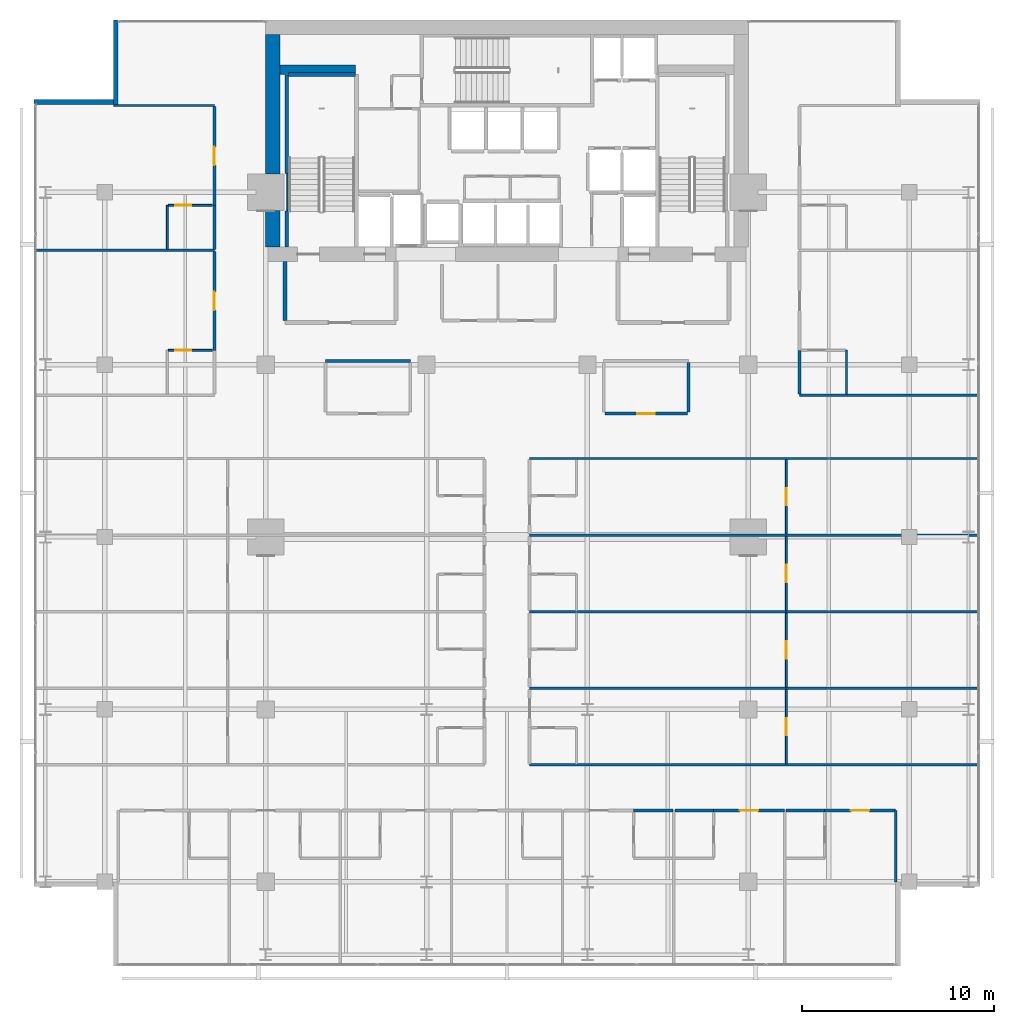
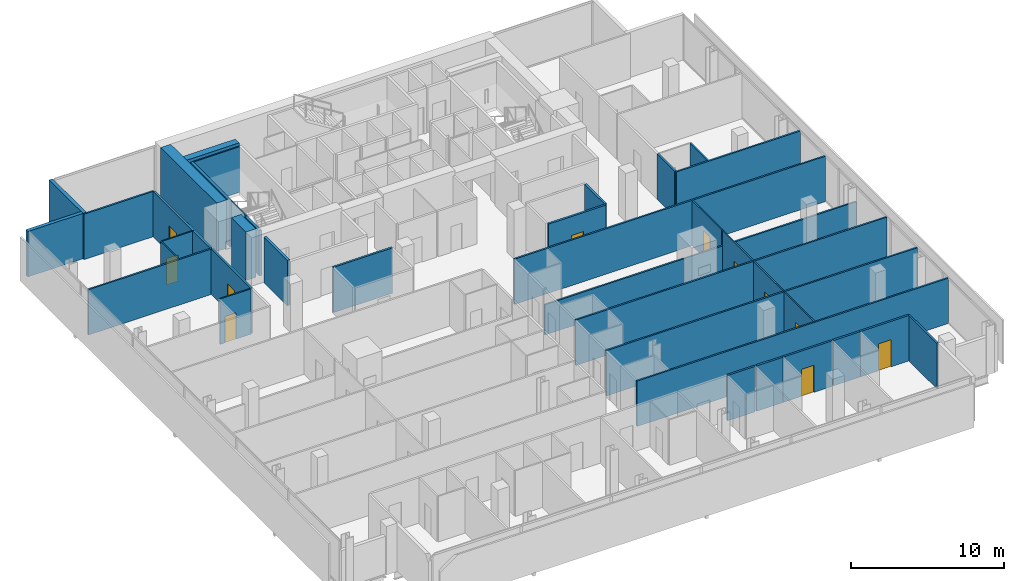
# One storey, part 29 of 34: 39 walls, 11 doors, 11 openings.
"""IFC4 building model written with IfcOpenShell, lengths in metres."""

from ifc_helpers import new_model, si_unit, direction, frame, frame_2d, origin, place, context, subcontext, project, spatial, rectangle, extrude, material, layer, layer_set, type_object, element, fill, save


model = new_model("IFC4")

# Units and contexts
model_context = context("Model", 3, precision=1e-05, world=origin(), true_north=direction((0.0, 1.0)))
body_context = subcontext(model_context, "Body", "Model", "MODEL_VIEW")
ifc_project = project(units=[si_unit("LENGTHUNIT", "METRE"), si_unit("AREAUNIT", "SQUARE_METRE"), si_unit("VOLUMEUNIT", "CUBIC_METRE"), si_unit("PLANEANGLEUNIT", "RADIAN"), si_unit("MASSUNIT", "GRAM", prefix="KILO")], contexts=[model_context])

# Site, building, storey
site_placement = place(None, origin())
site = spatial("IfcSite", under=ifc_project, at=site_placement, CompositionType="ELEMENT")
building_placement = place(site_placement, origin())
building = spatial("IfcBuilding", under=site, at=building_placement, Name="Maruvema Waterfront Hotel and Observation Tower", CompositionType="ELEMENT")
storey_placement = place(building_placement, frame((0.0, 0.0, 135.10009765625)))
storey = spatial("IfcBuildingStorey", under=building, at=storey_placement, Name="L32", CompositionType="ELEMENT", Elevation=135.10009765625)

# Walls
ifc_material_1 = material(Name="Twin-stud acoustic gypsum drywall", Category="gypsum")
ifc_layer_1 = layer(ifc_material_1, 0.14990234375, Name="Acoustic Corridor and Suite Demising Wall 150 mm")
ifc_layer_set_1 = layer_set([ifc_layer_1], Name="Twin-stud acoustic gypsum drywall")
wall_type_1 = type_object("IfcWallType", Name="Acoustic Corridor and Suite Demising Wall 150 mm", PredefinedType="PARTITIONING", material=ifc_layer_set_1)
wall_1_placement = place(storey_placement, frame((28.320068359375, 36.199951171875, 0.0), z_axis=(0.0, 0.0, 1.0), x_axis=(1.0, 0.0, 0.0)))
element("IfcWall", 1, at=wall_1_placement, inside=storey, type_object=wall_type_1, Name="L32 L32-M1 Back Wall 027", PredefinedType="PARTITIONING", context=body_context, shape_type="SweptSolid", body=[
    extrude(rectangle(XDim=4.429931640625, YDim=0.14990234375, at=frame_2d((2.21484375, 0.0))), origin(), (0.0, 0.0, 1.0), 3.60986328125),
])
wall_2_placement = place(storey_placement, frame((47.280029296875, 33.530029296875, 0.0), z_axis=(0.0, 0.0, 1.0), x_axis=(0.0, 1.0, 0.0)))
element("IfcWall", 2, at=wall_2_placement, inside=storey, type_object=wall_type_1, Name="L32 L32-M2 East Wall 033", PredefinedType="PARTITIONING", context=body_context, shape_type="SweptSolid", body=[
    extrude(rectangle(XDim=2.590087890625, YDim=0.14990234375, at=frame_2d((1.294921875, 0.0))), origin(), (0.0, 0.0, 1.0), 3.60986328125),
])

# Wall, opening, door
wall_3_placement = place(storey_placement, frame((42.909912109375, 33.449951171875, 0.0), z_axis=(0.0, 0.0, 1.0), x_axis=(1.0, 0.0, 0.0)))
wall_3 = element("IfcWall", 3, at=wall_3_placement, inside=storey, type_object=wall_type_1, Name="L32 L32-M2 Front 1 034", PredefinedType="PARTITIONING", context=body_context, shape_type="SweptSolid", body=[
    extrude(rectangle(XDim=4.31005859375, YDim=0.14990234375, at=frame_2d((2.155029296875, 0.0))), origin(), (0.0, 0.0, 1.0), 3.60986328125),
])
opening_1_placement = place(wall_3_placement, frame((1.705078125, 0.0, 0.0)))
opening_1 = element("IfcOpeningElement", 4, at=opening_1_placement, cuts=wall_3, Name="Opening DR-090", PredefinedType="OPENING", context=body_context, shape_type="SweptSolid", body=[
    extrude(rectangle(XDim=0.89990234375, YDim=2.10009765625, at=frame_2d((0.449951171875, 1.050048828125))), frame((0.0, 0.0849609375, 0.0), z_axis=(0.0, -1.0, 0.0), x_axis=(1.0, 0.0, 0.0)), (0.0, 0.0, 1.0), 0.169921875),
])
ifc_material_2 = material(Name="Solid-core lacquered timber leaf", Category="wood")
door_type_1 = type_object("IfcDoorType", Name="Accessible Toilet and Room Door 900x2100 mm", OperationType="NOTDEFINED", PredefinedType="DOOR", material=ifc_material_2)
door_1_placement = place(opening_1_placement, frame((0.89990234375, 0.0, 0.0), z_axis=(0.0, 0.0, 1.0), x_axis=(-1.0, 0.0, 0.0)))
door_1 = element("IfcDoor", 5, at=door_1_placement, inside=storey, type_object=door_type_1, Name="L32 Business Office 1 Door", OperationType="SINGLE_SWING_RIGHT", OverallHeight=2.10009765625, OverallWidth=0.89990234375, PredefinedType="DOOR", context=body_context, shape_type="SweptSolid", body=[
    extrude(rectangle(XDim=0.89990234375, YDim=2.10009765625, at=frame_2d((0.449951171875, 1.050048828125))), frame((0.0, 0.02490234375, 0.0), z_axis=(0.0, -1.0, 0.0), x_axis=(1.0, 0.0, 0.0)), (0.0, 0.0, 1.0), 0.050048828125),
])
fill(opening_1, door_1)

# Walls
wall_4_placement = place(storey_placement, frame((44.409912109375, 12.719970703125, 0.0), z_axis=(0.0, 0.0, 1.0), x_axis=(1.0, 0.0, 0.0)))
element("IfcWall", 6, at=wall_4_placement, inside=storey, type_object=wall_type_1, Name="L32 Bath L32-S5 Back Wall 057", PredefinedType="PARTITIONING", context=body_context, shape_type="SweptSolid", body=[
    extrude(rectangle(XDim=2.070068359375, YDim=0.14990234375, at=frame_2d((1.03515625, 0.0))), origin(), (0.0, 0.0, 1.0), 3.60986328125),
])
wall_5_placement = place(storey_placement, frame((46.580078125, 12.719970703125, 0.0), z_axis=(0.0, 0.0, 1.0), x_axis=(1.0, 0.0, 0.0)))
element("IfcWall", 7, at=wall_5_placement, inside=storey, type_object=wall_type_1, Name="L32 Bath L32-S6 Back Wall 062", PredefinedType="PARTITIONING", context=body_context, shape_type="SweptSolid", body=[
    extrude(rectangle(XDim=2.010009765625, YDim=0.14990234375, at=frame_2d((1.0048828125, 0.0))), origin(), (0.0, 0.0, 1.0), 3.60986328125),
])

# Wall, opening, door
wall_6_placement = place(storey_placement, frame((48.590087890625, 12.719970703125, 0.0), z_axis=(0.0, 0.0, 1.0), x_axis=(1.0, 0.0, 0.0)))
wall_6 = element("IfcWall", 8, at=wall_6_placement, inside=storey, type_object=wall_type_1, Name="L32 Unit L32-S6 Corridor Wall 065", PredefinedType="PARTITIONING", context=body_context, shape_type="SweptSolid", body=[
    extrude(rectangle(XDim=3.68994140625, YDim=0.14990234375, at=frame_2d((1.844970703125, 0.0))), origin(), (0.0, 0.0, 1.0), 3.60986328125),
])
opening_2_placement = place(wall_6_placement, frame((1.3701171875, 0.0, 0.0)))
opening_2 = element("IfcOpeningElement", 9, at=opening_2_placement, cuts=wall_6, Name="Opening DR-095", PredefinedType="OPENING", context=body_context, shape_type="SweptSolid", body=[
    extrude(rectangle(XDim=0.949951171875, YDim=2.14990234375, at=frame_2d((0.47509765625, 1.074951171875))), frame((0.0, 0.0849609375, 0.0), z_axis=(0.0, -1.0, 0.0), x_axis=(1.0, 0.0, 0.0)), (0.0, 0.0, 1.0), 0.169921875),
])
ifc_material_3 = material(Name="Acoustic solid-core hardwood timber leaf", Category="wood")
door_type_2 = type_object("IfcDoorType", Name="Guestroom Entrance Fire Door 950x2150 mm", OperationType="NOTDEFINED", PredefinedType="DOOR", material=ifc_material_3)
door_2_placement = place(opening_2_placement, frame((0.949951171875, 0.0, 0.0), z_axis=(0.0, 0.0, 1.0), x_axis=(-1.0, 0.0, 0.0)))
door_2 = element("IfcDoor", 10, at=door_2_placement, inside=storey, type_object=door_type_2, Name="L32 Unit L32-S6 Entrance Door", OperationType="SINGLE_SWING_RIGHT", OverallHeight=2.14990234375, OverallWidth=0.949951171875, PredefinedType="DOOR", context=body_context, shape_type="SweptSolid", body=[
    extrude(rectangle(XDim=0.949951171875, YDim=2.14990234375, at=frame_2d((0.47509765625, 1.074951171875))), frame((0.0, 0.02490234375, 0.0), z_axis=(0.0, -1.0, 0.0), x_axis=(1.0, 0.0, 0.0)), (0.0, 0.0, 1.0), 0.050048828125),
])
fill(opening_2, door_2)

# Wall
wall_7_placement = place(storey_placement, frame((52.3798828125, 12.719970703125, 0.0), z_axis=(0.0, 0.0, 1.0), x_axis=(1.0, 0.0, 0.0)))
element("IfcWall", 11, at=wall_7_placement, inside=storey, type_object=wall_type_1, Name="L32 Bath L32-S7 Back Wall 067", PredefinedType="PARTITIONING", context=body_context, shape_type="SweptSolid", body=[
    extrude(rectangle(XDim=2.010009765625, YDim=0.14990234375, at=frame_2d((1.0048828125, 0.0))), origin(), (0.0, 0.0, 1.0), 3.60986328125),
])

# Wall, opening, door
wall_8_placement = place(storey_placement, frame((54.389892578125, 12.719970703125, 0.0), z_axis=(0.0, 0.0, 1.0), x_axis=(1.0, 0.0, 0.0)))
wall_8 = element("IfcWall", 12, at=wall_8_placement, inside=storey, type_object=wall_type_1, Name="L32 Unit L32-S7 Corridor Wall 070", PredefinedType="PARTITIONING", context=body_context, shape_type="SweptSolid", body=[
    extrude(rectangle(XDim=3.690185546875, YDim=0.14990234375, at=frame_2d((1.84521484375, 0.0))), origin(), (0.0, 0.0, 1.0), 3.60986328125),
])
opening_3_placement = place(wall_8_placement, frame((1.3701171875, 0.0, 0.0)))
opening_3 = element("IfcOpeningElement", 13, at=opening_3_placement, cuts=wall_8, Name="Opening DR-095", PredefinedType="OPENING", context=body_context, shape_type="SweptSolid", body=[
    extrude(rectangle(XDim=0.949951171875, YDim=2.14990234375, at=frame_2d((0.47509765625, 1.074951171875))), frame((0.0, 0.0849609375, 0.0), z_axis=(0.0, -1.0, 0.0), x_axis=(1.0, 0.0, 0.0)), (0.0, 0.0, 1.0), 0.169921875),
])
door_3_placement = place(opening_3_placement, frame((0.949951171875, 0.0, 0.0), z_axis=(0.0, 0.0, 1.0), x_axis=(-1.0, 0.0, 0.0)))
door_3 = element("IfcDoor", 14, at=door_3_placement, inside=storey, type_object=door_type_2, Name="L32 Unit L32-S7 Entrance Door", OperationType="SINGLE_SWING_RIGHT", OverallHeight=2.14990234375, OverallWidth=0.949951171875, PredefinedType="DOOR", context=body_context, shape_type="SweptSolid", body=[
    extrude(rectangle(XDim=0.949951171875, YDim=2.14990234375, at=frame_2d((0.47509765625, 1.074951171875))), frame((0.0, 0.02490234375, 0.0), z_axis=(0.0, -1.0, 0.0), x_axis=(1.0, 0.0, 0.0)), (0.0, 0.0, 1.0), 0.050048828125),
])
fill(opening_3, door_3)

wall_9_placement = place(storey_placement, frame((22.52001953125, 36.75, 0.0), z_axis=(0.0, 0.0, 1.0), x_axis=(0.0, 1.0, 0.0)))
wall_9 = element("IfcWall", 15, at=wall_9_placement, inside=storey, type_object=wall_type_1, Name="L32 Room L32-NW1 Corridor Wall 126", PredefinedType="PARTITIONING", context=body_context, shape_type="SweptSolid", body=[
    extrude(rectangle(XDim=5.15869140625, YDim=0.14990234375, at=frame_2d((2.579345703125, 0.0))), origin(), (0.0, 0.0, 1.0), 3.60986328125),
])
opening_4_placement = place(wall_9_placement, frame((2.1044921875, 0.0, 0.0)))
opening_4 = element("IfcOpeningElement", 16, at=opening_4_placement, cuts=wall_9, Name="Opening DR-095", PredefinedType="OPENING", context=body_context, shape_type="SweptSolid", body=[
    extrude(rectangle(XDim=0.949951171875, YDim=2.14990234375, at=frame_2d((0.47509765625, 1.074951171875))), frame((0.0, 0.0849609375, 0.0), z_axis=(0.0, -1.0, 0.0), x_axis=(1.0, 0.0, 0.0)), (0.0, 0.0, 1.0), 0.169921875),
])
door_4_placement = place(opening_4_placement, origin())
door_4 = element("IfcDoor", 17, at=door_4_placement, inside=storey, type_object=door_type_2, Name="L32 Room L32-NW1 Entrance Door", OperationType="SINGLE_SWING_RIGHT", OverallHeight=2.14990234375, OverallWidth=0.949951171875, PredefinedType="DOOR", context=body_context, shape_type="SweptSolid", body=[
    extrude(rectangle(XDim=0.949951171875, YDim=2.14990234375, at=frame_2d((0.47509765625, 1.074951171875))), frame((0.0, 0.02490234375, 0.0), z_axis=(0.0, -1.0, 0.0), x_axis=(1.0, 0.0, 0.0)), (0.0, 0.0, 1.0), 0.050048828125),
])
fill(opening_4, door_4)

# Walls
for number, where, z_axis, x_axis, name in (
    (18, (53.080078125, 34.4599609375, 0.0), (0.0, 0.0, 1.0), (0.0, 1.0, 0.0), "L32 Bath L32-NE1 Wall 129"),
    (19, (22.52001953125, 42.02880859375, 0.0), (0.0, 0.0, 1.0), (0.0, 1.0, 0.0), "L32 Bath L32-NW2 Wall 135"),
):
    element("IfcWall", number, at=place(storey_placement, frame(where, z_axis=z_axis, x_axis=x_axis)), inside=storey, type_object=wall_type_1, Name=name, PredefinedType="PARTITIONING", context=body_context, shape_type="SweptSolid", body=[
        extrude(rectangle(XDim=2.2900390625, YDim=0.14990234375, at=frame_2d((1.14501953125, 0.0))), origin(), (0.0, 0.0, 1.0), 3.60986328125),
    ])

# Wall, opening, door
wall_10_placement = place(storey_placement, frame((22.52001953125, 44.31884765625, 0.0), z_axis=(0.0, 0.0, 1.0), x_axis=(0.0, 1.0, 0.0)))
wall_10 = element("IfcWall", 20, at=wall_10_placement, inside=storey, type_object=wall_type_1, Name="L32 Room L32-NW2 Corridor Wall 136", PredefinedType="PARTITIONING", context=body_context, shape_type="SweptSolid", body=[
    extrude(rectangle(XDim=5.15869140625, YDim=0.14990234375, at=frame_2d((2.579345703125, 0.0))), origin(), (0.0, 0.0, 1.0), 3.60986328125),
])
opening_5_placement = place(wall_10_placement, frame((2.104248046875, 0.0, 0.0)))
opening_5 = element("IfcOpeningElement", 21, at=opening_5_placement, cuts=wall_10, Name="Opening DR-095", PredefinedType="OPENING", context=body_context, shape_type="SweptSolid", body=[
    extrude(rectangle(XDim=0.949951171875, YDim=2.14990234375, at=frame_2d((0.47509765625, 1.074951171875))), frame((0.0, 0.0849609375, 0.0), z_axis=(0.0, -1.0, 0.0), x_axis=(1.0, 0.0, 0.0)), (0.0, 0.0, 1.0), 0.169921875),
])
door_5_placement = place(opening_5_placement, origin())
door_5 = element("IfcDoor", 22, at=door_5_placement, inside=storey, type_object=door_type_2, Name="L32 Room L32-NW2 Entrance Door", OperationType="SINGLE_SWING_RIGHT", OverallHeight=2.14990234375, OverallWidth=0.949951171875, PredefinedType="DOOR", context=body_context, shape_type="SweptSolid", body=[
    extrude(rectangle(XDim=0.949951171875, YDim=2.14990234375, at=frame_2d((0.47509765625, 1.074951171875))), frame((0.0, 0.02490234375, 0.0), z_axis=(0.0, -1.0, 0.0), x_axis=(1.0, 0.0, 0.0)), (0.0, 0.0, 1.0), 0.050048828125),
])
fill(opening_5, door_5)

# Walls
ifc_material_4 = material(Name="Precast concrete C45/55", Category="concrete")
ifc_layer_2 = layer(ifc_material_4, 0.199951171875, Name="Core Shaft and Stairwell Enclosure Wall 200 mm")
ifc_layer_set_2 = layer_set([ifc_layer_2], Name="Precast concrete C45/55")
wall_type_2 = type_object("IfcWallType", Name="Core Shaft and Stairwell Enclosure Wall 200 mm", PredefinedType="SOLIDWALL", material=ifc_layer_set_2)
wall_11_placement = place(storey_placement, frame((26.300048828125, 42.14990234375, 0.0), z_axis=(0.0, 0.0, 1.0), x_axis=(0.0, 1.0, 0.0)))
element("IfcWall", 23, at=wall_11_placement, inside=storey, type_object=wall_type_2, Name="L32 Stairwell ST-01 Shaft Lining Wall", PredefinedType="SOLIDWALL", context=body_context, shape_type="SweptSolid", body=[
    extrude(rectangle(XDim=1.8701171875, YDim=0.199951171875, at=frame_2d((0.93505859375, 0.0))), origin(), (0.0, 0.0, 1.0), 3.60986328125),
])
wall_12_placement = place(storey_placement, frame((26.300048828125, 45.97998046875, 0.0), z_axis=(0.0, 0.0, 1.0), x_axis=(0.0, 1.0, 0.0)))
element("IfcWall", 24, at=wall_12_placement, inside=storey, type_object=wall_type_2, Name="L32 Stairwell ST-01 Shaft Lining Wall", PredefinedType="SOLIDWALL", context=body_context, shape_type="SweptSolid", body=[
    extrude(rectangle(XDim=5.14013671875, YDim=0.199951171875, at=frame_2d((2.570068359375, 0.0))), origin(), (0.0, 0.0, 1.0), 3.60986328125),
])
wall_13_placement = place(storey_placement, frame((26.3798828125, 51.14990234375, 0.0), z_axis=(0.0, 0.0, 1.0), x_axis=(1.0, 0.0, 0.0)))
element("IfcWall", 25, at=wall_13_placement, inside=storey, type_object=wall_type_2, Name="L32 Stairwell ST-01 Shaft Lining Wall", PredefinedType="SOLIDWALL", context=body_context, shape_type="SweptSolid", body=[
    extrude(rectangle(XDim=3.5, YDim=0.199951171875, at=frame_2d((1.75, 0.0))), origin(), (0.0, 0.0, 1.0), 3.60986328125),
])
ifc_material_5 = material(Name="Concrete C70/85", Category="concrete")
ifc_layer_3 = layer(ifc_material_5, 0.5, Name="Core Shear Wall 500 mm")
ifc_layer_set_3 = layer_set([ifc_layer_3], Name="Concrete C70/85")
wall_type_3 = type_object("IfcWallType", Name="Core Shear Wall 500 mm", PredefinedType="SHEAR", material=ifc_layer_set_3)
wall_14_placement = place(storey_placement, frame((25.949951171875, 51.39990234375, 0.0), z_axis=(0.0, 0.0, 1.0), x_axis=(1.0, 0.0, 0.0)))
element("IfcWall", 26, at=wall_14_placement, inside=storey, type_object=wall_type_3, Name="L32 Internal Core Shear Wall NW 500 mm", PredefinedType="SHEAR", context=body_context, shape_type="SweptSolid", body=[
    extrude(rectangle(XDim=3.949951171875, YDim=0.5, at=frame_2d((1.97509765625, 0.0))), origin(), (0.0, 0.0, 1.0), 3.849853515625),
])
ifc_material_6 = material(Name="Concrete C70/85", Category="concrete")
ifc_layer_4 = layer(ifc_material_6, 0.75, Name="Core Shear Wall 750 mm")
ifc_layer_set_4 = layer_set([ifc_layer_4], Name="Concrete C70/85")
wall_type_4 = type_object("IfcWallType", Name="Core Shear Wall 750 mm", PredefinedType="SHEAR", material=ifc_layer_set_4)
wall_15_placement = place(storey_placement, frame((25.574951171875, 42.14990234375, 0.0), z_axis=(0.0, 0.0, 1.0), x_axis=(0.0, 1.0, 0.0)))
element("IfcWall", 27, at=wall_15_placement, inside=storey, type_object=wall_type_4, Name="L32 West-South Core Shear Wall", PredefinedType="SHEAR", context=body_context, shape_type="SweptSolid", body=[
    extrude(rectangle(XDim=1.900146484375, YDim=0.75, at=frame_2d((0.9501953125, 0.0))), origin(), (0.0, 0.0, 1.0), 3.849853515625),
])
wall_16_placement = place(storey_placement, frame((25.574951171875, 45.949951171875, 0.0), z_axis=(0.0, 0.0, 1.0), x_axis=(0.0, 1.0, 0.0)))
element("IfcWall", 28, at=wall_16_placement, inside=storey, type_object=wall_type_4, Name="L32 West-North Core Shear Wall", PredefinedType="SHEAR", context=body_context, shape_type="SweptSolid", body=[
    extrude(rectangle(XDim=7.300048828125, YDim=0.75, at=frame_2d((3.64990234375, 0.0))), origin(), (0.0, 0.0, 1.0), 3.849853515625),
])

# Wall, opening, door
ifc_material_7 = material(Name="Moisture-resistant cement-board drywall", Category="gypsum")
ifc_layer_5 = layer(ifc_material_7, 0.10009765625, Name="En-Suite Moisture-Resistant Partition 100 mm")
ifc_layer_set_5 = layer_set([ifc_layer_5], Name="Moisture-resistant cement-board drywall")
wall_type_5 = type_object("IfcWallType", Name="En-Suite Moisture-Resistant Partition 100 mm", PredefinedType="PARTITIONING", material=ifc_layer_set_5)
wall_17_placement = place(storey_placement, frame((52.386474609375, 15.159912109375, 0.0), z_axis=(0.0, 0.0, 1.0), x_axis=(0.0, 1.0, 0.0)))
wall_17 = element("IfcWall", 29, at=wall_17_placement, inside=storey, type_object=wall_type_5, Name="L32 Suite L32-E1 Split 084", PredefinedType="PARTITIONING", context=body_context, shape_type="SweptSolid", body=[
    extrude(rectangle(XDim=3.880126953125, YDim=0.10009765625, at=frame_2d((1.93994140625, 0.0))), origin(), (0.0, 0.0, 1.0), 3.60986328125),
])
opening_6_placement = place(wall_17_placement, frame((1.489990234375, 0.0, 0.0)))
opening_6 = element("IfcOpeningElement", 30, at=opening_6_placement, cuts=wall_17, Name="Opening DR-090", PredefinedType="OPENING", context=body_context, shape_type="SweptSolid", body=[
    extrude(rectangle(XDim=0.89990234375, YDim=2.10009765625, at=frame_2d((0.449951171875, 1.050048828125))), frame((0.0, 0.06005859375, 0.0), z_axis=(0.0, -1.0, 0.0), x_axis=(1.0, 0.0, 0.0)), (0.0, 0.0, 1.0), 0.1201171875),
])
door_6_placement = place(opening_6_placement, frame((0.89990234375, 0.0, 0.0), z_axis=(0.0, 0.0, 1.0), x_axis=(-1.0, 0.0, 0.0)))
door_6 = element("IfcDoor", 31, at=door_6_placement, inside=storey, type_object=door_type_1, Name="L32 Suite L32-E1 Bedroom Door", OperationType="SINGLE_SWING_RIGHT", OverallHeight=2.10009765625, OverallWidth=0.89990234375, PredefinedType="DOOR", context=body_context, shape_type="SweptSolid", body=[
    extrude(rectangle(XDim=0.89990234375, YDim=2.10009765625, at=frame_2d((0.449951171875, 1.050048828125))), frame((0.0, 0.02490234375, 0.0), z_axis=(0.0, -1.0, 0.0), x_axis=(1.0, 0.0, 0.0)), (0.0, 0.0, 1.0), 0.050048828125),
])
fill(opening_6, door_6)

wall_18_placement = place(storey_placement, frame((52.386474609375, 19.159912109375, 0.0), z_axis=(0.0, 0.0, 1.0), x_axis=(0.0, 1.0, 0.0)))
wall_18 = element("IfcWall", 32, at=wall_18_placement, inside=storey, type_object=wall_type_5, Name="L32 Suite L32-E2 Split 096", PredefinedType="PARTITIONING", context=body_context, shape_type="SweptSolid", body=[
    extrude(rectangle(XDim=3.880126953125, YDim=0.10009765625, at=frame_2d((1.93994140625, 0.0))), origin(), (0.0, 0.0, 1.0), 3.60986328125),
])
opening_7_placement = place(wall_18_placement, frame((1.489990234375, 0.0, 0.0)))
opening_7 = element("IfcOpeningElement", 33, at=opening_7_placement, cuts=wall_18, Name="Opening DR-090", PredefinedType="OPENING", context=body_context, shape_type="SweptSolid", body=[
    extrude(rectangle(XDim=0.89990234375, YDim=2.10009765625, at=frame_2d((0.449951171875, 1.050048828125))), frame((0.0, 0.06005859375, 0.0), z_axis=(0.0, -1.0, 0.0), x_axis=(1.0, 0.0, 0.0)), (0.0, 0.0, 1.0), 0.1201171875),
])
door_7_placement = place(opening_7_placement, frame((0.89990234375, 0.0, 0.0), z_axis=(0.0, 0.0, 1.0), x_axis=(-1.0, 0.0, 0.0)))
door_7 = element("IfcDoor", 34, at=door_7_placement, inside=storey, type_object=door_type_1, Name="L32 Suite L32-E2 Bedroom Door", OperationType="SINGLE_SWING_RIGHT", OverallHeight=2.10009765625, OverallWidth=0.89990234375, PredefinedType="DOOR", context=body_context, shape_type="SweptSolid", body=[
    extrude(rectangle(XDim=0.89990234375, YDim=2.10009765625, at=frame_2d((0.449951171875, 1.050048828125))), frame((0.0, 0.02490234375, 0.0), z_axis=(0.0, -1.0, 0.0), x_axis=(1.0, 0.0, 0.0)), (0.0, 0.0, 1.0), 0.050048828125),
])
fill(opening_7, door_7)

wall_19_placement = place(storey_placement, frame((52.386474609375, 23.159912109375, 0.0), z_axis=(0.0, 0.0, 1.0), x_axis=(0.0, 1.0, 0.0)))
wall_19 = element("IfcWall", 35, at=wall_19_placement, inside=storey, type_object=wall_type_5, Name="L32 Suite L32-E3 Split 108", PredefinedType="PARTITIONING", context=body_context, shape_type="SweptSolid", body=[
    extrude(rectangle(XDim=3.880126953125, YDim=0.10009765625, at=frame_2d((1.93994140625, 0.0))), origin(), (0.0, 0.0, 1.0), 3.60986328125),
])
opening_8_placement = place(wall_19_placement, frame((1.489990234375, 0.0, 0.0)))
opening_8 = element("IfcOpeningElement", 36, at=opening_8_placement, cuts=wall_19, Name="Opening DR-090", PredefinedType="OPENING", context=body_context, shape_type="SweptSolid", body=[
    extrude(rectangle(XDim=0.89990234375, YDim=2.10009765625, at=frame_2d((0.449951171875, 1.050048828125))), frame((0.0, 0.06005859375, 0.0), z_axis=(0.0, -1.0, 0.0), x_axis=(1.0, 0.0, 0.0)), (0.0, 0.0, 1.0), 0.1201171875),
])
door_8_placement = place(opening_8_placement, frame((0.89990234375, 0.0, 0.0), z_axis=(0.0, 0.0, 1.0), x_axis=(-1.0, 0.0, 0.0)))
door_8 = element("IfcDoor", 37, at=door_8_placement, inside=storey, type_object=door_type_1, Name="L32 Suite L32-E3 Bedroom Door", OperationType="SINGLE_SWING_RIGHT", OverallHeight=2.10009765625, OverallWidth=0.89990234375, PredefinedType="DOOR", context=body_context, shape_type="SweptSolid", body=[
    extrude(rectangle(XDim=0.89990234375, YDim=2.10009765625, at=frame_2d((0.449951171875, 1.050048828125))), frame((0.0, 0.02490234375, 0.0), z_axis=(0.0, -1.0, 0.0), x_axis=(1.0, 0.0, 0.0)), (0.0, 0.0, 1.0), 0.050048828125),
])
fill(opening_8, door_8)

wall_20_placement = place(storey_placement, frame((52.386474609375, 27.159912109375, 0.0), z_axis=(0.0, 0.0, 1.0), x_axis=(0.0, 1.0, 0.0)))
wall_20 = element("IfcWall", 38, at=wall_20_placement, inside=storey, type_object=wall_type_5, Name="L32 Suite L32-E4 Split 120", PredefinedType="PARTITIONING", context=body_context, shape_type="SweptSolid", body=[
    extrude(rectangle(XDim=3.880126953125, YDim=0.10009765625, at=frame_2d((1.93994140625, 0.0))), origin(), (0.0, 0.0, 1.0), 3.60986328125),
])
opening_9_placement = place(wall_20_placement, frame((1.489990234375, 0.0, 0.0)))
opening_9 = element("IfcOpeningElement", 39, at=opening_9_placement, cuts=wall_20, Name="Opening DR-090", PredefinedType="OPENING", context=body_context, shape_type="SweptSolid", body=[
    extrude(rectangle(XDim=0.89990234375, YDim=2.10009765625, at=frame_2d((0.449951171875, 1.050048828125))), frame((0.0, 0.06005859375, 0.0), z_axis=(0.0, -1.0, 0.0), x_axis=(1.0, 0.0, 0.0)), (0.0, 0.0, 1.0), 0.1201171875),
])
door_9_placement = place(opening_9_placement, frame((0.89990234375, 0.0, 0.0), z_axis=(0.0, 0.0, 1.0), x_axis=(-1.0, 0.0, 0.0)))
door_9 = element("IfcDoor", 40, at=door_9_placement, inside=storey, type_object=door_type_1, Name="L32 Suite L32-E4 Bedroom Door", OperationType="SINGLE_SWING_RIGHT", OverallHeight=2.10009765625, OverallWidth=0.89990234375, PredefinedType="DOOR", context=body_context, shape_type="SweptSolid", body=[
    extrude(rectangle(XDim=0.89990234375, YDim=2.10009765625, at=frame_2d((0.449951171875, 1.050048828125))), frame((0.0, 0.02490234375, 0.0), z_axis=(0.0, -1.0, 0.0), x_axis=(1.0, 0.0, 0.0)), (0.0, 0.0, 1.0), 0.050048828125),
])
fill(opening_9, door_9)

wall_21_placement = place(storey_placement, frame((20.1201171875, 36.75, 0.0), z_axis=(0.0, 0.0, 1.0), x_axis=(1.0, 0.0, 0.0)))
wall_21 = element("IfcWall", 41, at=wall_21_placement, inside=storey, type_object=wall_type_5, Name="L32 En-Suite L32-NW1 N 128", PredefinedType="PARTITIONING", context=body_context, shape_type="SweptSolid", body=[
    extrude(rectangle(XDim=2.2998046875, YDim=0.10009765625, at=frame_2d((1.14990234375, 0.0))), origin(), (0.0, 0.0, 1.0), 3.60986328125),
])
opening_10_placement = place(wall_21_placement, frame((0.35009765625, 0.0, 0.0)))
opening_10 = element("IfcOpeningElement", 42, at=opening_10_placement, cuts=wall_21, Name="Opening DR-085", PredefinedType="OPENING", context=body_context, shape_type="SweptSolid", body=[
    extrude(rectangle(XDim=0.85009765625, YDim=2.10009765625, at=frame_2d((0.425048828125, 1.050048828125))), frame((0.0, 0.06005859375, 0.0), z_axis=(0.0, -1.0, 0.0), x_axis=(1.0, 0.0, 0.0)), (0.0, 0.0, 1.0), 0.1201171875),
])
ifc_material_8 = material(Name="Moisture-resistant solid timber leaf", Category="wood")
door_type_3 = type_object("IfcDoorType", Name="En-Suite Bathroom Door 850x2100 mm", OperationType="NOTDEFINED", PredefinedType="DOOR", material=ifc_material_8)
door_10_placement = place(opening_10_placement, origin())
door_10 = element("IfcDoor", 43, at=door_10_placement, inside=storey, type_object=door_type_3, Name="L32 En-Suite L32-NW1 Door", OperationType="SINGLE_SWING_LEFT", OverallHeight=2.10009765625, OverallWidth=0.85009765625, PredefinedType="DOOR", context=body_context, shape_type="SweptSolid", body=[
    extrude(rectangle(XDim=0.85009765625, YDim=2.10009765625, at=frame_2d((0.425048828125, 1.050048828125))), frame((0.0, 0.02490234375, 0.0), z_axis=(0.0, -1.0, 0.0), x_axis=(1.0, 0.0, 0.0)), (0.0, 0.0, 1.0), 0.050048828125),
])
fill(opening_10, door_10)

# Walls
for number, where, z_axis, x_axis, name in (
    (44, (55.530029296875, 34.4599609375, 0.0), (0.0, 0.0, 1.0), (0.0, 1.0, 0.0), "L32 En-Suite L32-NE1 E 131"),
    (45, (20.070068359375, 42.02880859375, 0.0), (0.0, 0.0, 1.0), (0.0, 1.0, 0.0), "L32 En-Suite L32-NW2 W 137"),
):
    element("IfcWall", number, at=place(storey_placement, frame(where, z_axis=z_axis, x_axis=x_axis)), inside=storey, type_object=wall_type_5, Name=name, PredefinedType="PARTITIONING", context=body_context, shape_type="SweptSolid", body=[
        extrude(rectangle(XDim=2.2900390625, YDim=0.10009765625, at=frame_2d((1.14501953125, 0.0))), origin(), (0.0, 0.0, 1.0), 3.60986328125),
    ])

# Wall, opening, door
wall_22_placement = place(storey_placement, frame((20.1201171875, 44.31884765625, 0.0), z_axis=(0.0, 0.0, 1.0), x_axis=(1.0, 0.0, 0.0)))
wall_22 = element("IfcWall", 46, at=wall_22_placement, inside=storey, type_object=wall_type_5, Name="L32 En-Suite L32-NW2 N 138", PredefinedType="PARTITIONING", context=body_context, shape_type="SweptSolid", body=[
    extrude(rectangle(XDim=2.2998046875, YDim=0.10009765625, at=frame_2d((1.14990234375, 0.0))), origin(), (0.0, 0.0, 1.0), 3.60986328125),
])
opening_11_placement = place(wall_22_placement, frame((0.35009765625, 0.0, 0.0)))
opening_11 = element("IfcOpeningElement", 47, at=opening_11_placement, cuts=wall_22, Name="Opening DR-085", PredefinedType="OPENING", context=body_context, shape_type="SweptSolid", body=[
    extrude(rectangle(XDim=0.85009765625, YDim=2.10009765625, at=frame_2d((0.425048828125, 1.050048828125))), frame((0.0, 0.06005859375, 0.0), z_axis=(0.0, -1.0, 0.0), x_axis=(1.0, 0.0, 0.0)), (0.0, 0.0, 1.0), 0.1201171875),
])
door_11_placement = place(opening_11_placement, origin())
door_11 = element("IfcDoor", 48, at=door_11_placement, inside=storey, type_object=door_type_3, Name="L32 En-Suite L32-NW2 Door", OperationType="SINGLE_SWING_LEFT", OverallHeight=2.10009765625, OverallWidth=0.85009765625, PredefinedType="DOOR", context=body_context, shape_type="SweptSolid", body=[
    extrude(rectangle(XDim=0.85009765625, YDim=2.10009765625, at=frame_2d((0.425048828125, 1.050048828125))), frame((0.0, 0.02490234375, 0.0), z_axis=(0.0, -1.0, 0.0), x_axis=(1.0, 0.0, 0.0)), (0.0, 0.0, 1.0), 0.050048828125),
])
fill(opening_11, door_11)

# Walls
ifc_material_9 = material(Name="Precast concrete C45/55 with honed Pernambuco granite facing", Category="masonry")
ifc_layer_6 = layer(ifc_material_9, 0.260009765625, Name="Exterior Granite Clad Spandrel and Pier Wall 260 mm")
ifc_layer_set_6 = layer_set([ifc_layer_6], Name="Precast concrete C45/55 with honed Pernambuco granite facing")
wall_type_6 = type_object("IfcWallType", Name="Exterior Granite Clad Spandrel and Pier Wall 260 mm", PredefinedType="SOLIDWALL", material=ifc_layer_set_6)
for number, where, z_axis, x_axis, name in (
    (49, (17.3701171875, 49.60009765625, 0.0), (0.0, 0.0, 1.0), (0.0, 1.0, 0.0), "L32 Corner Notch Granite Pier Wall NW1"),
    (50, (13.10009765625, 49.72998046875, 0.0), (0.0, 0.0, 1.0), (1.0, 0.0, 0.0), "L32 Corner Notch Granite Pier Wall NW2"),
):
    element("IfcWall", number, at=place(storey_placement, frame(where, z_axis=z_axis, x_axis=x_axis)), inside=storey, type_object=wall_type_6, Name=name, PredefinedType="SOLIDWALL", context=body_context, shape_type="SweptSolid", body=[
        extrude(rectangle(XDim=4.39990234375, YDim=0.260009765625, at=frame_2d((2.199951171875, 0.0))), origin(), (0.0, 0.0, 1.0), 3.60986328125),
    ])
ifc_material_10 = material(Name="Autoclaved cellular concrete blockwork", Category="masonry")
ifc_layer_7 = layer(ifc_material_10, 0.199951171875, Name="Fire Compartment Masonry Wall 200 mm")
ifc_layer_set_7 = layer_set([ifc_layer_7], Name="Autoclaved cellular concrete blockwork")
wall_type_7 = type_object("IfcWallType", Name="Fire Compartment Masonry Wall 200 mm", PredefinedType="PARTITIONING", material=ifc_layer_set_7)
wall_23_placement = place(storey_placement, frame((26.199951171875, 38.31005859375, 0.0), z_axis=(0.0, 0.0, 1.0), x_axis=(0.0, 1.0, 0.0)))
element("IfcWall", 51, at=wall_23_placement, inside=storey, type_object=wall_type_7, Name="L32 FFL West West Wall 002", PredefinedType="PARTITIONING", context=body_context, shape_type="SweptSolid", body=[
    extrude(rectangle(XDim=3.06982421875, YDim=0.199951171875, at=frame_2d((1.534912109375, 0.0))), origin(), (0.0, 0.0, 1.0), 3.60986328125),
])
ifc_material_11 = material(Name="Acoustic gypsum plasterboard drywall", Category="gypsum")
ifc_layer_8 = layer(ifc_material_11, 0.125, Name="Guestroom Acoustic Demising Wall 125 mm")
ifc_layer_set_8 = layer_set([ifc_layer_8], Name="Acoustic gypsum plasterboard drywall")
wall_type_8 = type_object("IfcWallType", Name="Guestroom Acoustic Demising Wall 125 mm", PredefinedType="PARTITIONING", material=ifc_layer_set_8)
wall_24_placement = place(storey_placement, frame((58.10009765625, 9.0, 0.0), z_axis=(0.0, 0.0, 1.0), x_axis=(0.0, 1.0, 0.0)))
element("IfcWall", 52, at=wall_24_placement, inside=storey, type_object=wall_type_8, Name="L32 Z2 S East End 036", PredefinedType="PARTITIONING", context=body_context, shape_type="SweptSolid", body=[
    extrude(rectangle(XDim=3.719970703125, YDim=0.125, at=frame_2d((1.85986328125, 0.0))), origin(), (0.0, 0.0, 1.0), 3.60986328125),
])
for number, where, z_axis, x_axis, name in (
    (53, (38.97998046875, 15.10009765625, 0.0), (0.0, 0.0, 1.0), (1.0, 0.0, 0.0), "L32 Z2 E Bot End 072"),
    (54, (38.97998046875, 31.10009765625, 0.0), (0.0, 0.0, 1.0), (1.0, 0.0, 0.0), "L32 Z2 E Top End 074"),
    (55, (38.97998046875, 19.10009765625, 0.0), (0.0, 0.0, 1.0), (1.0, 0.0, 0.0), "L32 Z2 E Demising 2 086"),
    (56, (38.97998046875, 23.10009765625, 0.0), (0.0, 0.0, 1.0), (1.0, 0.0, 0.0), "L32 Z2 E Demising 3 098"),
):
    element("IfcWall", number, at=place(storey_placement, frame(where, z_axis=z_axis, x_axis=x_axis)), inside=storey, type_object=wall_type_8, Name=name, PredefinedType="PARTITIONING", context=body_context, shape_type="SweptSolid", body=[
        extrude(rectangle(XDim=23.419921875, YDim=0.125, at=frame_2d((11.7099609375, 0.0))), origin(), (0.0, 0.0, 1.0), 3.60986328125),
    ])
wall_25_placement = place(storey_placement, frame((38.97998046875, 27.10009765625, 0.0), z_axis=(0.0, 0.0, 1.0), x_axis=(1.0, 0.0, 0.0)))
element("IfcWall", 57, at=wall_25_placement, inside=storey, type_object=wall_type_8, Name="L32 Z2 E Demising 4 110", PredefinedType="PARTITIONING", context=body_context, shape_type="SweptSolid", body=[
    extrude(rectangle(XDim=23.419921875, YDim=0.125, at=frame_2d((11.7099609375, 0.0))), origin(), (0.0, 0.0, 1.0), 2.409912109375),
])
wall_26_placement = place(storey_placement, frame((53.080078125, 34.39990234375, 0.0), z_axis=(0.0, 0.0, 1.0), x_axis=(1.0, 0.0, 0.0)))
element("IfcWall", 58, at=wall_26_placement, inside=storey, type_object=wall_type_8, Name="L32 Z2 NE Bot End 122", PredefinedType="PARTITIONING", context=body_context, shape_type="SweptSolid", body=[
    extrude(rectangle(XDim=9.31982421875, YDim=0.125, at=frame_2d((4.659912109375, 0.0))), origin(), (0.0, 0.0, 1.0), 3.60986328125),
])
wall_27_placement = place(storey_placement, frame((17.239990234375, 49.53759765625, 0.0), z_axis=(0.0, 0.0, 1.0), x_axis=(1.0, 0.0, 0.0)))
element("IfcWall", 59, at=wall_27_placement, inside=storey, type_object=wall_type_8, Name="L32 Z2 NW Top End 123", PredefinedType="PARTITIONING", context=body_context, shape_type="SweptSolid", body=[
    extrude(rectangle(XDim=5.280029296875, YDim=0.125, at=frame_2d((2.64013671875, 0.0))), origin(), (0.0, 0.0, 1.0), 3.60986328125),
])
wall_28_placement = place(storey_placement, frame((13.199951171875, 41.96875, 0.0), z_axis=(0.0, 0.0, 1.0), x_axis=(1.0, 0.0, 0.0)))
element("IfcWall", 60, at=wall_28_placement, inside=storey, type_object=wall_type_8, Name="L32 Z2 NW Demising 2 133", PredefinedType="PARTITIONING", context=body_context, shape_type="SweptSolid", body=[
    extrude(rectangle(XDim=9.320068359375, YDim=0.125, at=frame_2d((4.66015625, 0.0))), origin(), (0.0, 0.0, 1.0), 3.60986328125),
])
ifc_material_12 = material(Name="Precast concrete C45/55", Category="concrete")
ifc_layer_9 = layer(ifc_material_12, 0.10009765625, Name="Stairwell Stringer Cheek Wall 100 mm")
ifc_layer_set_9 = layer_set([ifc_layer_9], Name="Precast concrete C45/55")
wall_type_9 = type_object("IfcWallType", Name="Stairwell Stringer Cheek Wall 100 mm", PredefinedType="SOLIDWALL", material=ifc_layer_set_9)
wall_29_placement = place(storey_placement, frame((26.35205078125, 44.0400390625, 0.0), z_axis=(0.0, 0.0, 1.0), x_axis=(0.0, 1.0, 0.0)))
element("IfcWall", 61, at=wall_29_placement, inside=storey, type_object=wall_type_9, Name="L32 Stairwell ST-01 Mega-Column Cheek Wall", PredefinedType="SOLIDWALL", context=body_context, shape_type="SweptSolid", body=[
    extrude(rectangle(XDim=1.919921875, YDim=0.10009765625, at=frame_2d((0.9599609375, 0.0))), origin(), (0.0, 0.0, 1.0), 3.60986328125),
])

save(model, "model.ifc")
